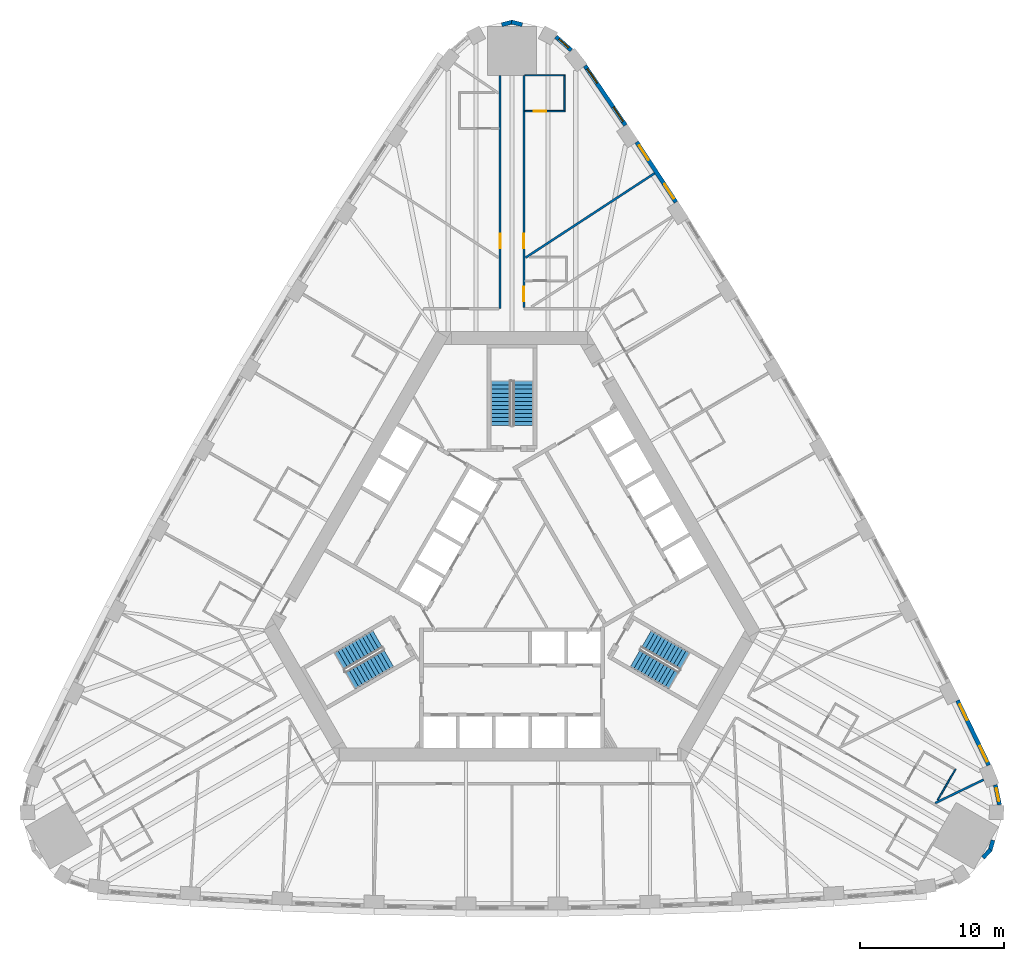
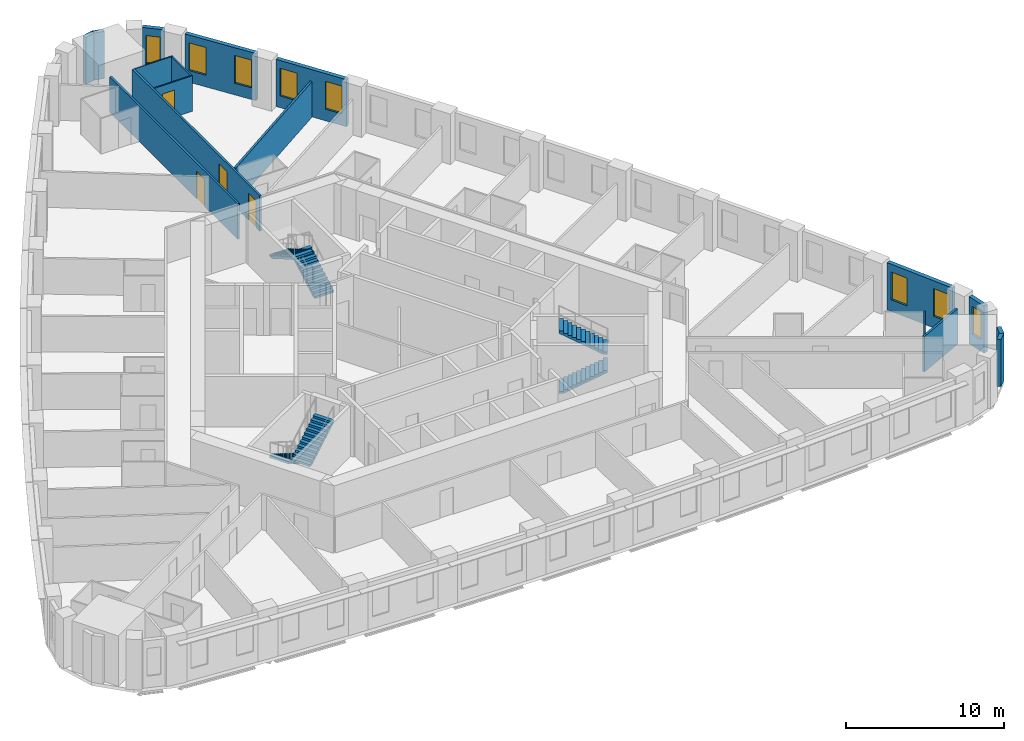
# One storey, part 11 of 12: 17 walls, 8 windows, 6 stair flights, 4 doors, 12 openings, 3 elements without a shape of their own.
"""IFC4 building model written with IfcOpenShell, lengths in metres."""

from ifc_helpers import new_model, si_unit, direction, frame, frame_2d, origin, place, context, subcontext, project, spatial, polyline, rectangle, outline, extrude, material, layer, layer_set, type_object, element, fill, aggregate, save


model = new_model("IFC4")

# Units and contexts
model_context = context("Model", 3, precision=1e-05, world=origin(), true_north=direction((0.0, 1.0)))
body_context = subcontext(model_context, "Body", "Model", "MODEL_VIEW")
ifc_project = project(units=[si_unit("LENGTHUNIT", "METRE"), si_unit("AREAUNIT", "SQUARE_METRE"), si_unit("VOLUMEUNIT", "CUBIC_METRE"), si_unit("PLANEANGLEUNIT", "RADIAN"), si_unit("MASSUNIT", "GRAM", prefix="KILO")], contexts=[model_context])

# Site, building, storey
site_placement = place(None, origin())
site = spatial("IfcSite", under=ifc_project, at=site_placement, CompositionType="ELEMENT")
building_placement = place(site_placement, origin())
building = spatial("IfcBuilding", under=site, at=building_placement, Name="Mestral Congress Tower", CompositionType="ELEMENT")
storey_placement = place(building_placement, frame((0.0, 0.0, 47.10009765625)))
storey = spatial("IfcBuildingStorey", under=building, at=storey_placement, Name="L10", CompositionType="ELEMENT", Elevation=47.10009765625)

# Walls
ifc_material_1 = material(Name="Precast concrete C40/50 with limestone facing", Category="masonry")
ifc_layer_1 = layer(ifc_material_1, 0.2900390625)
ifc_layer_set_1 = layer_set([ifc_layer_1], Name="Precast concrete C40/50 with limestone facing")
wall_type_1 = type_object("IfcWallType", Name="Facade stone wall 290", PredefinedType="SOLIDWALL", material=ifc_layer_set_1)
for number, where, z_axis, x_axis, name in (
    (1, (32.762451171875, -19.732177734375, 0.0), (0.0, 0.0, 1.0), (0.692252359589, 0.721655506903, 0.0), "Facade wall K0-1"),
    (2, (33.256591796875, -19.24072265625, 0.0), (0.0, 0.0, 1.0), (0.278981320915, 0.960296528464, 0.0), "Facade wall K0-2"),
):
    element("IfcWall", number, at=place(storey_placement, frame(where, z_axis=z_axis, x_axis=x_axis)), inside=storey, type_object=wall_type_1, Name=name, PredefinedType="SOLIDWALL", context=body_context, shape_type="SweptSolid", body=[
        extrude(rectangle(XDim=0.763916015625, YDim=0.2900390625, at=frame_2d((0.3818359375, 0.0))), origin(), (0.0, 0.0, 1.0), 3.64990234375),
    ])

# Wall, opening, window
wall_1_placement = place(storey_placement, frame((33.91748046875, -16.043701171875, 0.0), z_axis=(0.0, 0.0, 1.0), x_axis=(-0.198106888228, 0.980180422594, 0.0)))
wall_1 = element("IfcWall", 3, at=wall_1_placement, inside=storey, type_object=wall_type_1, Name="Facade wall K0-3", PredefinedType="SOLIDWALL", context=body_context, shape_type="SweptSolid", body=[
    extrude(rectangle(XDim=1.414794921875, YDim=0.2900390625, at=frame_2d((0.70751953125, 0.0))), origin(), (0.0, 0.0, 1.0), 3.64990234375),
])
opening_1_placement = place(wall_1_placement, frame((0.25732421875, 0.0, 0.89990234375)))
opening_1 = element("IfcOpeningElement", 4, at=opening_1_placement, cuts=wall_1, Name="Opening W3", PredefinedType="OPENING", context=body_context, shape_type="SweptSolid", body=[
    extrude(rectangle(XDim=0.89990234375, YDim=2.14990234375, at=frame_2d((0.449951171875, 1.074951171875))), frame((0.0, 0.155029296875, 0.0), z_axis=(0.0, -1.0, 0.0), x_axis=(1.0, 0.0, 0.0)), (0.0, 0.0, 1.0), 0.31005859375),
])
ifc_material_2 = material(Name="Clear low-emissivity double glazing", Category="glass")
window_type_1 = type_object("IfcWindowType", Name="Facade punched window 900 x 2150 sill 900", PartitioningType="SINGLE_PANEL", PredefinedType="WINDOW", material=ifc_material_2)
window_1_placement = place(opening_1_placement, origin())
window_1 = element("IfcWindow", 5, at=window_1_placement, inside=storey, type_object=window_type_1, Name="Window K0-3", OverallHeight=2.14990234375, OverallWidth=0.89990234375, PartitioningType="SINGLE_PANEL", PredefinedType="WINDOW", context=body_context, shape_type="SweptSolid", body=[
    extrude(rectangle(XDim=0.89990234375, YDim=2.14990234375, at=frame_2d((0.449951171875, 1.074951171875))), frame((0.0, 0.01513671875, 0.0), z_axis=(0.0, -1.0, 0.0), x_axis=(1.0, 0.0, 0.0)), (0.0, 0.0, 1.0), 0.06005859375),
])
fill(opening_1, window_1)

# Wall, openings, windows
wall_2_placement = place(storey_placement, frame((33.176025390625, -13.290283203125, 0.0), z_axis=(0.0, 0.0, 1.0), x_axis=(-0.434664499056, 0.900592456808, 0.0)))
wall_2 = element("IfcWall", 6, at=wall_2_placement, inside=storey, type_object=wall_type_1, Name="Facade wall F1-00", PredefinedType="SOLIDWALL", context=body_context, shape_type="SweptSolid", body=[
    extrude(rectangle(XDim=5.005615234375, YDim=0.2900390625, at=frame_2d((2.5029296875, 0.0))), origin(), (0.0, 0.0, 1.0), 3.64990234375),
])
opening_2_placement = place(wall_2_placement, frame((0.265380859375, 0.0, 0.89990234375)))
opening_2 = element("IfcOpeningElement", 7, at=opening_2_placement, cuts=wall_2, Name="Opening W1", PredefinedType="OPENING", context=body_context, shape_type="SweptSolid", body=[
    extrude(rectangle(XDim=1.199951171875, YDim=2.14990234375, at=frame_2d((0.60009765625, 1.074951171875))), frame((0.0, 0.155029296875, 0.0), z_axis=(0.0, -1.0, 0.0), x_axis=(1.0, 0.0, 0.0)), (0.0, 0.0, 1.0), 0.31005859375),
])
opening_3_placement = place(wall_2_placement, frame((3.49560546875, 0.0, 0.89990234375)))
opening_3 = element("IfcOpeningElement", 8, at=opening_3_placement, cuts=wall_2, Name="Opening W1", PredefinedType="OPENING", context=body_context, shape_type="SweptSolid", body=[
    extrude(rectangle(XDim=1.199951171875, YDim=2.14990234375, at=frame_2d((0.60009765625, 1.074951171875))), frame((0.0, 0.155029296875, 0.0), z_axis=(0.0, -1.0, 0.0), x_axis=(1.0, 0.0, 0.0)), (0.0, 0.0, 1.0), 0.31005859375),
])
window_type_2 = type_object("IfcWindowType", Name="Facade punched window 1200 x 2150 sill 900", PartitioningType="DOUBLE_PANEL_VERTICAL", PredefinedType="WINDOW", material=ifc_material_2)
window_2_placement = place(opening_2_placement, origin())
window_2 = element("IfcWindow", 9, at=window_2_placement, inside=storey, type_object=window_type_2, Name="Window F1-00a", OverallHeight=2.14990234375, OverallWidth=1.199951171875, PartitioningType="DOUBLE_PANEL_VERTICAL", PredefinedType="WINDOW", context=body_context, shape_type="SweptSolid", body=[
    extrude(rectangle(XDim=1.199951171875, YDim=2.14990234375, at=frame_2d((0.60009765625, 1.074951171875))), frame((0.0, 0.01513671875, 0.0), z_axis=(0.0, -1.0, 0.0), x_axis=(1.0, 0.0, 0.0)), (0.0, 0.0, 1.0), 0.06005859375),
])
fill(opening_2, window_2)
window_3_placement = place(opening_3_placement, origin())
window_3 = element("IfcWindow", 10, at=window_3_placement, inside=storey, type_object=window_type_2, Name="Window F1-00b", OverallHeight=2.14990234375, OverallWidth=1.199951171875, PartitioningType="DOUBLE_PANEL_VERTICAL", PredefinedType="WINDOW", context=body_context, shape_type="SweptSolid", body=[
    extrude(rectangle(XDim=1.199951171875, YDim=2.14990234375, at=frame_2d((0.60009765625, 1.074951171875))), frame((0.0, 0.01513671875, 0.0), z_axis=(0.0, -1.0, 0.0), x_axis=(1.0, 0.0, 0.0)), (0.0, 0.0, 1.0), 0.06005859375),
])
fill(opening_3, window_3)

wall_3_placement = place(storey_placement, frame((11.41064453125, 25.884033203125, 0.0), z_axis=(0.0, 0.0, 1.0), x_axis=(-0.547204617628, 0.836998868845, 0.0)))
wall_3 = element("IfcWall", 11, at=wall_3_placement, inside=storey, type_object=wall_type_1, Name="Facade wall F1-07", PredefinedType="SOLIDWALL", context=body_context, shape_type="SweptSolid", body=[
    extrude(rectangle(XDim=4.998291015625, YDim=0.2900390625, at=frame_2d((2.4990234375, 0.0))), origin(), (0.0, 0.0, 1.0), 3.64990234375),
])
opening_4_placement = place(wall_3_placement, frame((0.297119140625, 0.0, 0.89990234375)))
opening_4 = element("IfcOpeningElement", 12, at=opening_4_placement, cuts=wall_3, Name="Opening W1", PredefinedType="OPENING", context=body_context, shape_type="SweptSolid", body=[
    extrude(rectangle(XDim=1.199951171875, YDim=2.14990234375, at=frame_2d((0.60009765625, 1.074951171875))), frame((0.0, 0.155029296875, 0.0), z_axis=(0.0, -1.0, 0.0), x_axis=(1.0, 0.0, 0.0)), (0.0, 0.0, 1.0), 0.31005859375),
])
opening_5_placement = place(wall_3_placement, frame((3.501220703125, 0.0, 0.89990234375)))
opening_5 = element("IfcOpeningElement", 13, at=opening_5_placement, cuts=wall_3, Name="Opening W1", PredefinedType="OPENING", context=body_context, shape_type="SweptSolid", body=[
    extrude(rectangle(XDim=1.199951171875, YDim=2.14990234375, at=frame_2d((0.60009765625, 1.074951171875))), frame((0.0, 0.155029296875, 0.0), z_axis=(0.0, -1.0, 0.0), x_axis=(1.0, 0.0, 0.0)), (0.0, 0.0, 1.0), 0.31005859375),
])
window_4_placement = place(opening_4_placement, origin())
window_4 = element("IfcWindow", 14, at=window_4_placement, inside=storey, type_object=window_type_2, Name="Window F1-07a", OverallHeight=2.14990234375, OverallWidth=1.199951171875, PartitioningType="DOUBLE_PANEL_VERTICAL", PredefinedType="WINDOW", context=body_context, shape_type="SweptSolid", body=[
    extrude(rectangle(XDim=1.199951171875, YDim=2.14990234375, at=frame_2d((0.60009765625, 1.074951171875))), frame((0.0, 0.01513671875, 0.0), z_axis=(0.0, -1.0, 0.0), x_axis=(1.0, 0.0, 0.0)), (0.0, 0.0, 1.0), 0.06005859375),
])
fill(opening_4, window_4)
window_5_placement = place(opening_5_placement, origin())
window_5 = element("IfcWindow", 15, at=window_5_placement, inside=storey, type_object=window_type_2, Name="Window F1-07b", OverallHeight=2.14990234375, OverallWidth=1.199951171875, PartitioningType="DOUBLE_PANEL_VERTICAL", PredefinedType="WINDOW", context=body_context, shape_type="SweptSolid", body=[
    extrude(rectangle(XDim=1.199951171875, YDim=2.14990234375, at=frame_2d((0.60009765625, 1.074951171875))), frame((0.0, 0.01513671875, 0.0), z_axis=(0.0, -1.0, 0.0), x_axis=(1.0, 0.0, 0.0)), (0.0, 0.0, 1.0), 0.06005859375),
])
fill(opening_5, window_5)

wall_4_placement = place(storey_placement, frame((7.89453125, 31.23828125, 0.0), z_axis=(0.0, 0.0, 1.0), x_axis=(-0.562610153679, 0.826722332454, 0.0)))
wall_4 = element("IfcWall", 16, at=wall_4_placement, inside=storey, type_object=wall_type_1, Name="Facade wall F1-08", PredefinedType="SOLIDWALL", context=body_context, shape_type="SweptSolid", body=[
    extrude(rectangle(XDim=5.005615234375, YDim=0.2900390625, at=frame_2d((2.5029296875, 0.0))), origin(), (0.0, 0.0, 1.0), 3.64990234375),
])
opening_6_placement = place(wall_4_placement, frame((0.310302734375, 0.0, 0.89990234375)))
opening_6 = element("IfcOpeningElement", 17, at=opening_6_placement, cuts=wall_4, Name="Opening W1", PredefinedType="OPENING", context=body_context, shape_type="SweptSolid", body=[
    extrude(rectangle(XDim=1.199951171875, YDim=2.14990234375, at=frame_2d((0.60009765625, 1.074951171875))), frame((0.0, 0.155029296875, 0.0), z_axis=(0.0, -1.0, 0.0), x_axis=(1.0, 0.0, 0.0)), (0.0, 0.0, 1.0), 0.31005859375),
])
opening_7_placement = place(wall_4_placement, frame((3.54052734375, 0.0, 0.89990234375)))
opening_7 = element("IfcOpeningElement", 18, at=opening_7_placement, cuts=wall_4, Name="Opening W1", PredefinedType="OPENING", context=body_context, shape_type="SweptSolid", body=[
    extrude(rectangle(XDim=1.199951171875, YDim=2.14990234375, at=frame_2d((0.60009765625, 1.074951171875))), frame((0.0, 0.155029296875, 0.0), z_axis=(0.0, -1.0, 0.0), x_axis=(1.0, 0.0, 0.0)), (0.0, 0.0, 1.0), 0.31005859375),
])
window_6_placement = place(opening_6_placement, origin())
window_6 = element("IfcWindow", 19, at=window_6_placement, inside=storey, type_object=window_type_2, Name="Window F1-08a", OverallHeight=2.14990234375, OverallWidth=1.199951171875, PartitioningType="DOUBLE_PANEL_VERTICAL", PredefinedType="WINDOW", context=body_context, shape_type="SweptSolid", body=[
    extrude(rectangle(XDim=1.199951171875, YDim=2.14990234375, at=frame_2d((0.60009765625, 1.074951171875))), frame((0.0, 0.01513671875, 0.0), z_axis=(0.0, -1.0, 0.0), x_axis=(1.0, 0.0, 0.0)), (0.0, 0.0, 1.0), 0.06005859375),
])
fill(opening_6, window_6)
window_7_placement = place(opening_7_placement, origin())
window_7 = element("IfcWindow", 20, at=window_7_placement, inside=storey, type_object=window_type_2, Name="Window F1-08b", OverallHeight=2.14990234375, OverallWidth=1.199951171875, PartitioningType="DOUBLE_PANEL_VERTICAL", PredefinedType="WINDOW", context=body_context, shape_type="SweptSolid", body=[
    extrude(rectangle(XDim=1.199951171875, YDim=2.14990234375, at=frame_2d((0.60009765625, 1.074951171875))), frame((0.0, 0.01513671875, 0.0), z_axis=(0.0, -1.0, 0.0), x_axis=(1.0, 0.0, 0.0)), (0.0, 0.0, 1.0), 0.06005859375),
])
fill(opening_7, window_7)

# Wall, opening, window
wall_5_placement = place(storey_placement, frame((4.12548828125, 36.458984375, 0.0), z_axis=(0.0, 0.0, 1.0), x_axis=(-0.749812680302, 0.661650167731, 0.0)))
wall_5 = element("IfcWall", 21, at=wall_5_placement, inside=storey, type_object=wall_type_1, Name="Facade wall K1-0", PredefinedType="SOLIDWALL", context=body_context, shape_type="SweptSolid", body=[
    extrude(rectangle(XDim=1.4150390625, YDim=0.2900390625, at=frame_2d((0.70751953125, 0.0))), origin(), (0.0, 0.0, 1.0), 3.64990234375),
])
opening_8_placement = place(wall_5_placement, frame((0.257568359375, 0.0, 0.89990234375)))
opening_8 = element("IfcOpeningElement", 22, at=opening_8_placement, cuts=wall_5, Name="Opening W3", PredefinedType="OPENING", context=body_context, shape_type="SweptSolid", body=[
    extrude(rectangle(XDim=0.89990234375, YDim=2.14990234375, at=frame_2d((0.449951171875, 1.074951171875))), frame((0.0, 0.155029296875, 0.0), z_axis=(0.0, -1.0, 0.0), x_axis=(1.0, 0.0, 0.0)), (0.0, 0.0, 1.0), 0.31005859375),
])
window_8_placement = place(opening_8_placement, origin())
window_8 = element("IfcWindow", 23, at=window_8_placement, inside=storey, type_object=window_type_1, Name="Window K1-0", OverallHeight=2.14990234375, OverallWidth=0.89990234375, PartitioningType="SINGLE_PANEL", PredefinedType="WINDOW", context=body_context, shape_type="SweptSolid", body=[
    extrude(rectangle(XDim=0.89990234375, YDim=2.14990234375, at=frame_2d((0.449951171875, 1.074951171875))), frame((0.0, 0.01513671875, 0.0), z_axis=(0.0, -1.0, 0.0), x_axis=(1.0, 0.0, 0.0)), (0.0, 0.0, 1.0), 0.06005859375),
])
fill(opening_8, window_8)

# Walls
for number, where, z_axis, x_axis, name in (
    (24, (0.707275390625, 38.2392578125, 0.0), (0.0, 0.0, 1.0), (-0.971167582305, 0.238397833629, 0.0), "Facade wall K1-1"),
    (25, (0.03466796875, 38.42138671875, 0.0), (0.0, 0.0, 1.0), (-0.971167582305, -0.238397833629, 0.0), "Facade wall K1-2"),
):
    element("IfcWall", number, at=place(storey_placement, frame(where, z_axis=z_axis, x_axis=x_axis)), inside=storey, type_object=wall_type_1, Name=name, PredefinedType="SOLIDWALL", context=body_context, shape_type="SweptSolid", body=[
        extrude(rectangle(XDim=0.763916015625, YDim=0.2900390625, at=frame_2d((0.3818359375, 0.0))), origin(), (0.0, 0.0, 1.0), 3.64990234375),
    ])
ifc_material_3 = material(Name="Gypsum board partition on metal studs with mineral wool", Category="composite")
ifc_layer_2 = layer(ifc_material_3, 0.10009765625)
ifc_layer_set_2 = layer_set([ifc_layer_2], Name="Gypsum board partition on metal studs with mineral wool")
wall_type_2 = type_object("IfcWallType", Name="Hotel partition wall 100", PredefinedType="PARTITIONING", material=ifc_layer_set_2)
wall_6_placement = place(storey_placement, frame((29.619384765625, -15.715087890625, 0.0), z_axis=(0.0, 0.0, 1.0), x_axis=(0.500004234368, 0.866022959057, 0.0)))
element("IfcWall", 26, at=wall_6_placement, inside=storey, type_object=wall_type_2, Name="L10-h-pod10c", PredefinedType="PARTITIONING", context=body_context, shape_type="SweptSolid", body=[
    extrude(rectangle(XDim=2.5, YDim=0.10009765625, at=frame_2d((1.25, 0.0))), origin(), (0.0, 0.0, 1.0), 2.75),
])

# Wall, opening, door
wall_7_placement = place(storey_placement, frame((0.89990234375, 32.218994140625, 0.0), z_axis=(0.0, 0.0, 1.0), x_axis=(1.0, 0.0, 0.0)))
wall_7 = element("IfcWall", 27, at=wall_7_placement, inside=storey, type_object=wall_type_2, Name="L10-h-pod18a", PredefinedType="PARTITIONING", context=body_context, shape_type="SweptSolid", body=[
    extrude(rectangle(XDim=2.800048828125, YDim=0.10009765625, at=frame_2d((1.39990234375, 0.0))), origin(), (0.0, 0.0, 1.0), 2.75),
])
opening_9_placement = place(wall_7_placement, frame((0.60009765625, 0.0, 0.0)))
opening_9 = element("IfcOpeningElement", 28, at=opening_9_placement, cuts=wall_7, Name="Opening H02-029", PredefinedType="OPENING", context=body_context, shape_type="SweptSolid", body=[
    extrude(rectangle(XDim=0.89990234375, YDim=2.10009765625, at=frame_2d((0.449951171875, 1.050048828125))), frame((0.0, 0.06005859375, 0.0), z_axis=(0.0, -1.0, 0.0), x_axis=(1.0, 0.0, 0.0)), (0.0, 0.0, 1.0), 0.1201171875),
])
ifc_material_4 = material(Name="Timber veneer door leaf in timber frame", Category="wood")
door_type_1 = type_object("IfcDoorType", Name="Bathroom door 900", OperationType="SINGLE_SWING_LEFT", PredefinedType="DOOR", material=ifc_material_4)
door_1_placement = place(opening_9_placement, origin())
door_1 = element("IfcDoor", 29, at=door_1_placement, inside=storey, type_object=door_type_1, Name="L10-h-d029", OperationType="SINGLE_SWING_RIGHT", OverallHeight=2.10009765625, OverallWidth=0.89990234375, PredefinedType="DOOR", context=body_context, shape_type="SweptSolid", body=[
    extrude(rectangle(XDim=0.89990234375, YDim=2.10009765625, at=frame_2d((0.449951171875, 1.050048828125))), frame((0.0, 0.02490234375, 0.0), z_axis=(0.0, -1.0, 0.0), x_axis=(1.0, 0.0, 0.0)), (0.0, 0.0, 1.0), 0.050048828125),
])
fill(opening_9, door_1)

# Walls
wall_8_placement = place(storey_placement, frame((3.64990234375, 32.268798828125, 0.0), z_axis=(0.0, 0.0, 1.0), x_axis=(0.0, 1.0, 0.0)))
element("IfcWall", 30, at=wall_8_placement, inside=storey, type_object=wall_type_2, Name="L10-h-pod18b", PredefinedType="PARTITIONING", context=body_context, shape_type="SweptSolid", body=[
    extrude(rectangle(XDim=2.400146484375, YDim=0.10009765625, at=frame_2d((1.2001953125, 0.0))), origin(), (0.0, 0.0, 1.0), 2.75),
])
wall_9_placement = place(storey_placement, frame((0.89990234375, 34.718994140625, 0.0), z_axis=(0.0, 0.0, 1.0), x_axis=(1.0, 0.0, 0.0)))
element("IfcWall", 31, at=wall_9_placement, inside=storey, type_object=wall_type_2, Name="L10-h-pod18c", PredefinedType="PARTITIONING", context=body_context, shape_type="SweptSolid", body=[
    extrude(rectangle(XDim=2.800048828125, YDim=0.10009765625, at=frame_2d((1.39990234375, 0.0))), origin(), (0.0, 0.0, 1.0), 2.75),
])

# Wall, openings, doors
ifc_layer_3 = layer(ifc_material_3, 0.14990234375)
ifc_layer_set_3 = layer_set([ifc_layer_3], Name="Gypsum board partition on metal studs with mineral wool")
wall_type_3 = type_object("IfcWallType", Name="Hotel partition wall 150", PredefinedType="PARTITIONING", material=ifc_layer_set_3)
wall_10_placement = place(storey_placement, frame((0.824951171875, 34.698974609375, 0.0), z_axis=(0.0, 0.0, 1.0), x_axis=(0.0, -1.0, 0.0)))
wall_10 = element("IfcWall", 32, at=wall_10_placement, inside=storey, type_object=wall_type_3, Name="L10-h-cw05", PredefinedType="PARTITIONING", context=body_context, shape_type="SweptSolid", body=[
    extrude(rectangle(XDim=16.14404296875, YDim=0.14990234375, at=frame_2d((8.072021484375, 0.0))), origin(), (0.0, 0.0, 1.0), 2.75),
])
opening_10_placement = place(wall_10_placement, frame((14.7138671875, 0.0, 0.0)))
opening_10 = element("IfcOpeningElement", 33, at=opening_10_placement, cuts=wall_10, Name="Opening H02-026", PredefinedType="OPENING", context=body_context, shape_type="SweptSolid", body=[
    extrude(rectangle(XDim=1.0, YDim=2.10009765625, at=frame_2d((0.5, 1.050048828125))), frame((0.0, 0.0849609375, 0.0), z_axis=(0.0, -1.0, 0.0), x_axis=(1.0, 0.0, 0.0)), (0.0, 0.0, 1.0), 0.169921875),
])
opening_11_placement = place(wall_10_placement, frame((11.004638671875, 0.0, 0.0)))
opening_11 = element("IfcOpeningElement", 34, at=opening_11_placement, cuts=wall_10, Name="Opening H02-028", PredefinedType="OPENING", context=body_context, shape_type="SweptSolid", body=[
    extrude(rectangle(XDim=1.0, YDim=2.10009765625, at=frame_2d((0.5, 1.050048828125))), frame((0.0, 0.0849609375, 0.0), z_axis=(0.0, -1.0, 0.0), x_axis=(1.0, 0.0, 0.0)), (0.0, 0.0, 1.0), 0.169921875),
])
ifc_material_5 = material(Name="Timber veneer door leaf in metal frame", Category="wood")
door_type_2 = type_object("IfcDoorType", Name="Guest room entrance door 1000", OperationType="SINGLE_SWING_LEFT", PredefinedType="DOOR", material=ifc_material_5)
door_2_placement = place(opening_10_placement, origin())
door_2 = element("IfcDoor", 35, at=door_2_placement, inside=storey, type_object=door_type_2, Name="L10-h-d026", OperationType="SINGLE_SWING_RIGHT", OverallHeight=2.10009765625, OverallWidth=1.0, PredefinedType="DOOR", context=body_context, shape_type="SweptSolid", body=[
    extrude(rectangle(XDim=1.0, YDim=2.10009765625, at=frame_2d((0.5, 1.050048828125))), frame((0.0, 0.02490234375, 0.0), z_axis=(0.0, -1.0, 0.0), x_axis=(1.0, 0.0, 0.0)), (0.0, 0.0, 1.0), 0.050048828125),
])
fill(opening_10, door_2)
door_3_placement = place(opening_11_placement, origin())
door_3 = element("IfcDoor", 36, at=door_3_placement, inside=storey, type_object=door_type_2, Name="L10-h-d028", OperationType="SINGLE_SWING_RIGHT", OverallHeight=2.10009765625, OverallWidth=1.0, PredefinedType="DOOR", context=body_context, shape_type="SweptSolid", body=[
    extrude(rectangle(XDim=1.0, YDim=2.10009765625, at=frame_2d((0.5, 1.050048828125))), frame((0.0, 0.02490234375, 0.0), z_axis=(0.0, -1.0, 0.0), x_axis=(1.0, 0.0, 0.0)), (0.0, 0.0, 1.0), 0.050048828125),
])
fill(opening_11, door_3)

# Wall, opening, door
wall_11_placement = place(storey_placement, frame((-0.824951171875, 18.47509765625, 0.0), z_axis=(0.0, 0.0, 1.0), x_axis=(0.0, 1.0, 0.0)))
wall_11 = element("IfcWall", 37, at=wall_11_placement, inside=storey, type_object=wall_type_3, Name="L10-h-cw06", PredefinedType="PARTITIONING", context=body_context, shape_type="SweptSolid", body=[
    extrude(rectangle(XDim=16.223876953125, YDim=0.14990234375, at=frame_2d((8.11181640625, 0.0))), origin(), (0.0, 0.0, 1.0), 2.75),
])
opening_12_placement = place(wall_11_placement, frame((4.219970703125, 0.0, 0.0)))
opening_12 = element("IfcOpeningElement", 38, at=opening_12_placement, cuts=wall_11, Name="Opening H02-030", PredefinedType="OPENING", context=body_context, shape_type="SweptSolid", body=[
    extrude(rectangle(XDim=1.0, YDim=2.10009765625, at=frame_2d((0.5, 1.050048828125))), frame((0.0, 0.0849609375, 0.0), z_axis=(0.0, -1.0, 0.0), x_axis=(1.0, 0.0, 0.0)), (0.0, 0.0, 1.0), 0.169921875),
])
door_4_placement = place(opening_12_placement, origin())
door_4 = element("IfcDoor", 39, at=door_4_placement, inside=storey, type_object=door_type_2, Name="L10-h-d030", OperationType="SINGLE_SWING_LEFT", OverallHeight=2.10009765625, OverallWidth=1.0, PredefinedType="DOOR", context=body_context, shape_type="SweptSolid", body=[
    extrude(rectangle(XDim=1.0, YDim=2.10009765625, at=frame_2d((0.5, 1.050048828125))), frame((0.0, 0.02490234375, 0.0), z_axis=(0.0, -1.0, 0.0), x_axis=(1.0, 0.0, 0.0)), (0.0, 0.0, 1.0), 0.050048828125),
])
fill(opening_12, door_4)

# Walls
wall_12_placement = place(storey_placement, frame((9.921630859375, 27.896484375, 0.0), z_axis=(0.0, 0.0, 1.0), x_axis=(-0.836970816595, -0.547247523675, 0.0)))
element("IfcWall", 40, at=wall_12_placement, inside=storey, type_object=wall_type_3, Name="L10-h-pw15", PredefinedType="PARTITIONING", context=body_context, shape_type="SweptSolid", body=[
    extrude(rectangle(XDim=10.728759765625, YDim=0.14990234375, at=frame_2d((5.3642578125, 0.0))), origin(), (0.0, 0.0, 1.0), 2.75),
])
wall_13_placement = place(storey_placement, frame((32.8173828125, -14.29638671875, 0.0), z_axis=(0.0, 0.0, 1.0), x_axis=(-0.900616957918, -0.434613730927, 0.0)))
element("IfcWall", 41, at=wall_13_placement, inside=storey, type_object=wall_type_3, Name="L10-h-pw27", PredefinedType="PARTITIONING", context=body_context, shape_type="SweptSolid", body=[
    extrude(rectangle(XDim=3.7333984375, YDim=0.14990234375, at=frame_2d((1.86669921875, 0.0))), origin(), (0.0, 0.0, 1.0), 2.75),
])

# Stair, stair flights
ifc_material_6 = material(Name="Concrete C60/75", Category="concrete")
stair_type = type_object("IfcStairType", Name="Exit stair 1400", PredefinedType="HALF_TURN_STAIR", material=ifc_material_6)
placement = place(storey_placement, origin())
stair_1 = element("IfcStair", 42, at=placement, inside=storey, type_object=stair_type, Name="L10 ST1", PredefinedType="HALF_TURN_STAIR")
stair_flight_type = type_object("IfcStairFlightType", Name="Exit stair flight 1400", PredefinedType="STRAIGHT", material=ifc_material_6)
stair_flight_1_placement = place(storey_placement, frame((8.575927734375, -5.84619140625, 0.0), z_axis=(0.0, 0.0, 1.0), x_axis=(0.866025403784, -0.5, 0.0)))
stair_flight_1 = element("IfcStairFlight", 43, at=stair_flight_1_placement, type_object=stair_flight_type, Name="ST1 flight 1", NumberOfRisers=12, NumberOfTreads=11, PredefinedType="STRAIGHT", RiserHeight=0.1625, TreadLength=0.28, context=body_context, shape_type="SweptSolid", body=[
    extrude(outline(polyline([(0.0, 0.0), (0.0, 0.16259765625), (0.280029296875, 0.16259765625), (0.280029296875, 0.324951171875), (0.56005859375, 0.324951171875), (0.56005859375, 0.487548828125), (0.840087890625, 0.487548828125), (0.840087890625, 0.64990234375), (1.1201171875, 0.64990234375), (1.1201171875, 0.8125), (1.39990234375, 0.8125), (1.39990234375, 0.97509765625), (1.679931640625, 0.97509765625), (1.679931640625, 1.137451171875), (1.9599609375, 1.137451171875), (1.9599609375, 1.300048828125), (2.239990234375, 1.300048828125), (2.239990234375, 1.46240234375), (2.52001953125, 1.46240234375), (2.52001953125, 1.625), (2.800048828125, 1.625), (2.800048828125, 1.78759765625), (3.080078125, 1.78759765625), (3.080078125, 1.949951171875), (3.080078125, 1.6142578125), (0.298583984375, 0.0), (0.0, 0.0)])), frame((0.0, 0.699951171875, 0.0), z_axis=(0.0, -1.0, 0.0), x_axis=(1.0, 0.0, 0.0)), (0.0, 0.0, 1.0), 1.39990234375),
])
stair_flight_2_placement = place(storey_placement, frame((12.018310546875, -6.0439453125, 1.949951171875), z_axis=(0.0, 0.0, 1.0), x_axis=(-0.866025403784, 0.5, 0.0)))
stair_flight_2 = element("IfcStairFlight", 44, at=stair_flight_2_placement, type_object=stair_flight_type, Name="ST1 flight 2", NumberOfRisers=12, NumberOfTreads=11, PredefinedType="STRAIGHT", RiserHeight=0.1625, TreadLength=0.28, context=body_context, shape_type="SweptSolid", body=[
    extrude(outline(polyline([(0.0, 0.0), (0.0, 0.16259765625), (0.280029296875, 0.16259765625), (0.280029296875, 0.324951171875), (0.56005859375, 0.324951171875), (0.56005859375, 0.487548828125), (0.840087890625, 0.487548828125), (0.840087890625, 0.64990234375), (1.1201171875, 0.64990234375), (1.1201171875, 0.8125), (1.39990234375, 0.8125), (1.39990234375, 0.97509765625), (1.679931640625, 0.97509765625), (1.679931640625, 1.137451171875), (1.9599609375, 1.137451171875), (1.9599609375, 1.300048828125), (2.239990234375, 1.300048828125), (2.239990234375, 1.46240234375), (2.52001953125, 1.46240234375), (2.52001953125, 1.625), (2.800048828125, 1.625), (2.800048828125, 1.78759765625), (3.080078125, 1.78759765625), (3.080078125, 1.949951171875), (3.080078125, 1.6142578125), (0.298583984375, 0.0), (0.0, 0.0)])), frame((0.0, 0.699951171875, 0.0), z_axis=(0.0, -1.0, 0.0), x_axis=(1.0, 0.0, 0.0)), (0.0, 0.0, 1.0), 1.39990234375),
])
aggregate(stair_1, [stair_flight_1, stair_flight_2])

stair_2 = element("IfcStair", 45, at=placement, inside=storey, type_object=stair_type, Name="L10 ST2", PredefinedType="HALF_TURN_STAIR")
stair_flight_3_placement = place(storey_placement, frame((0.77490234375, 10.35009765625, 0.0), z_axis=(0.0, 0.0, 1.0), x_axis=(0.0, 1.0, 0.0)))
stair_flight_3 = element("IfcStairFlight", 46, at=stair_flight_3_placement, type_object=stair_flight_type, Name="ST2 flight 1", NumberOfRisers=12, NumberOfTreads=11, PredefinedType="STRAIGHT", RiserHeight=0.1625, TreadLength=0.28, context=body_context, shape_type="SweptSolid", body=[
    extrude(outline(polyline([(0.0, 0.0), (0.0, 0.16259765625), (0.280029296875, 0.16259765625), (0.280029296875, 0.324951171875), (0.56005859375, 0.324951171875), (0.56005859375, 0.487548828125), (0.840087890625, 0.487548828125), (0.840087890625, 0.64990234375), (1.1201171875, 0.64990234375), (1.1201171875, 0.8125), (1.39990234375, 0.8125), (1.39990234375, 0.97509765625), (1.679931640625, 0.97509765625), (1.679931640625, 1.137451171875), (1.9599609375, 1.137451171875), (1.9599609375, 1.300048828125), (2.239990234375, 1.300048828125), (2.239990234375, 1.46240234375), (2.52001953125, 1.46240234375), (2.52001953125, 1.625), (2.800048828125, 1.625), (2.800048828125, 1.78759765625), (3.080078125, 1.78759765625), (3.080078125, 1.949951171875), (3.080078125, 1.6142578125), (0.298583984375, 0.0), (0.0, 0.0)])), frame((0.0, 0.699951171875, 0.0), z_axis=(0.0, -1.0, 0.0), x_axis=(1.0, 0.0, 0.0)), (0.0, 0.0, 1.0), 1.39990234375),
])
stair_flight_4_placement = place(storey_placement, frame((-0.77490234375, 13.429931640625, 1.949951171875), z_axis=(0.0, 0.0, 1.0), x_axis=(0.0, -1.0, 0.0)))
stair_flight_4 = element("IfcStairFlight", 47, at=stair_flight_4_placement, type_object=stair_flight_type, Name="ST2 flight 2", NumberOfRisers=12, NumberOfTreads=11, PredefinedType="STRAIGHT", RiserHeight=0.1625, TreadLength=0.28, context=body_context, shape_type="SweptSolid", body=[
    extrude(outline(polyline([(0.0, 0.0), (0.0, 0.16259765625), (0.280029296875, 0.16259765625), (0.280029296875, 0.324951171875), (0.56005859375, 0.324951171875), (0.56005859375, 0.487548828125), (0.840087890625, 0.487548828125), (0.840087890625, 0.64990234375), (1.1201171875, 0.64990234375), (1.1201171875, 0.8125), (1.39990234375, 0.8125), (1.39990234375, 0.97509765625), (1.679931640625, 0.97509765625), (1.679931640625, 1.137451171875), (1.9599609375, 1.137451171875), (1.9599609375, 1.300048828125), (2.239990234375, 1.300048828125), (2.239990234375, 1.46240234375), (2.52001953125, 1.46240234375), (2.52001953125, 1.625), (2.800048828125, 1.625), (2.800048828125, 1.78759765625), (3.080078125, 1.78759765625), (3.080078125, 1.949951171875), (3.080078125, 1.6142578125), (0.298583984375, 0.0), (0.0, 0.0)])), frame((0.0, 0.699951171875, 0.0), z_axis=(0.0, -1.0, 0.0), x_axis=(1.0, 0.0, 0.0)), (0.0, 0.0, 1.0), 1.39990234375),
])
aggregate(stair_2, [stair_flight_3, stair_flight_4])

stair_3 = element("IfcStair", 48, at=placement, inside=storey, type_object=stair_type, Name="L10 ST3", PredefinedType="HALF_TURN_STAIR")
stair_flight_5_placement = place(storey_placement, frame((-9.350830078125, -4.50390625, 0.0), z_axis=(0.0, 0.0, 1.0), x_axis=(-0.866025403784, -0.5, 0.0)))
stair_flight_5 = element("IfcStairFlight", 49, at=stair_flight_5_placement, type_object=stair_flight_type, Name="ST3 flight 1", NumberOfRisers=12, NumberOfTreads=11, PredefinedType="STRAIGHT", RiserHeight=0.1625, TreadLength=0.28, context=body_context, shape_type="SweptSolid", body=[
    extrude(outline(polyline([(0.0, 0.0), (0.0, 0.16259765625), (0.280029296875, 0.16259765625), (0.280029296875, 0.324951171875), (0.56005859375, 0.324951171875), (0.56005859375, 0.487548828125), (0.840087890625, 0.487548828125), (0.840087890625, 0.64990234375), (1.1201171875, 0.64990234375), (1.1201171875, 0.8125), (1.39990234375, 0.8125), (1.39990234375, 0.97509765625), (1.679931640625, 0.97509765625), (1.679931640625, 1.137451171875), (1.9599609375, 1.137451171875), (1.9599609375, 1.300048828125), (2.239990234375, 1.300048828125), (2.239990234375, 1.46240234375), (2.52001953125, 1.46240234375), (2.52001953125, 1.625), (2.800048828125, 1.625), (2.800048828125, 1.78759765625), (3.080078125, 1.78759765625), (3.080078125, 1.949951171875), (3.080078125, 1.6142578125), (0.298583984375, 0.0), (0.0, 0.0)])), frame((0.0, 0.699951171875, 0.0), z_axis=(0.0, -1.0, 0.0), x_axis=(1.0, 0.0, 0.0)), (0.0, 0.0, 1.0), 1.39990234375),
])
stair_flight_6_placement = place(storey_placement, frame((-11.2431640625, -7.38623046875, 1.949951171875), z_axis=(0.0, 0.0, 1.0), x_axis=(0.866025403784, 0.5, 0.0)))
stair_flight_6 = element("IfcStairFlight", 50, at=stair_flight_6_placement, type_object=stair_flight_type, Name="ST3 flight 2", NumberOfRisers=12, NumberOfTreads=11, PredefinedType="STRAIGHT", RiserHeight=0.1625, TreadLength=0.28, context=body_context, shape_type="SweptSolid", body=[
    extrude(outline(polyline([(0.0, 0.0), (0.0, 0.16259765625), (0.280029296875, 0.16259765625), (0.280029296875, 0.324951171875), (0.56005859375, 0.324951171875), (0.56005859375, 0.487548828125), (0.840087890625, 0.487548828125), (0.840087890625, 0.64990234375), (1.1201171875, 0.64990234375), (1.1201171875, 0.8125), (1.39990234375, 0.8125), (1.39990234375, 0.97509765625), (1.679931640625, 0.97509765625), (1.679931640625, 1.137451171875), (1.9599609375, 1.137451171875), (1.9599609375, 1.300048828125), (2.239990234375, 1.300048828125), (2.239990234375, 1.46240234375), (2.52001953125, 1.46240234375), (2.52001953125, 1.625), (2.800048828125, 1.625), (2.800048828125, 1.78759765625), (3.080078125, 1.78759765625), (3.080078125, 1.949951171875), (3.080078125, 1.6142578125), (0.298583984375, 0.0), (0.0, 0.0)])), frame((0.0, 0.699951171875, 0.0), z_axis=(0.0, -1.0, 0.0), x_axis=(1.0, 0.0, 0.0)), (0.0, 0.0, 1.0), 1.39990234375),
])
aggregate(stair_3, [stair_flight_5, stair_flight_6])

save(model, "model.ifc")
